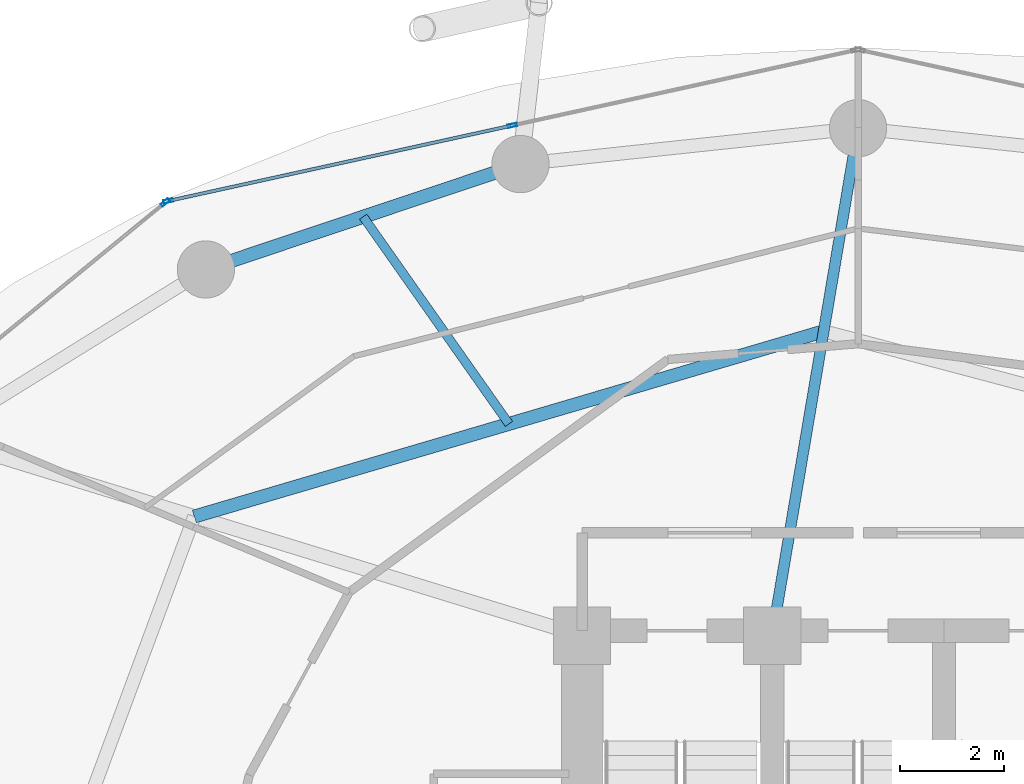
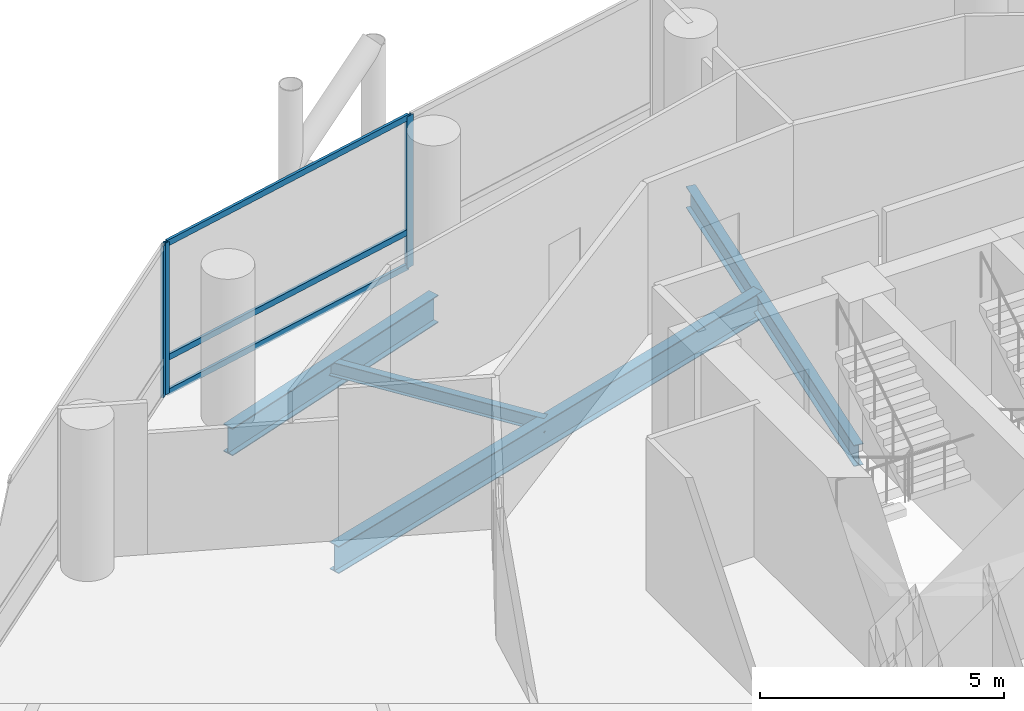
# One storey, part 15 of 26: 6 members, 4 beams, 2 elements without a shape of their own.
"""IFC4 building model written with IfcOpenShell, lengths in metres."""

from ifc_helpers import new_model, si_unit, direction, frame, origin, origin_2d, place, context, subcontext, project, spatial, hollow_rectangle, i_section, extrude, material, layer, layer_set, material_profile, profile_set, type_object, element, aggregate, save


model = new_model("IFC4")

# Units and contexts
model_context = context("Model", 3, precision=1e-05, world=origin(), true_north=direction((0.0, 1.0)))
body_context = subcontext(model_context, "Body", "Model", "MODEL_VIEW")
ifc_project = project(units=[si_unit("LENGTHUNIT", "METRE"), si_unit("AREAUNIT", "SQUARE_METRE"), si_unit("VOLUMEUNIT", "CUBIC_METRE"), si_unit("PLANEANGLEUNIT", "RADIAN"), si_unit("MASSUNIT", "GRAM", prefix="KILO")], contexts=[model_context])

# Site, building, storey
site_placement = place(None, origin())
site = spatial("IfcSite", under=ifc_project, at=site_placement, CompositionType="ELEMENT")
building_placement = place(site_placement, origin())
building = spatial("IfcBuilding", under=site, at=building_placement, Name="Nuhasar Tower", CompositionType="ELEMENT")
storey_placement = place(building_placement, frame((0.0, 0.0, 53.39990234375)))
storey = spatial("IfcBuildingStorey", under=building, at=storey_placement, Name="L12", CompositionType="ELEMENT", Elevation=53.39990234375)

# Beams
ifc_material_1 = material(Name="Steel S355", Category="steel")
ifc_material_profile_1 = material_profile(ifc_material_1, i_section(OverallWidth=0.25390625, OverallDepth=0.68408203125, WebThickness=0.012451171875, FlangeThickness=0.018798828125, at=origin_2d()), Name="W27X94")
ifc_profile_set_1 = profile_set([ifc_material_profile_1], Name="Steel S355")
beam_type_1 = type_object("IfcBeamType", Name="BM-INRING-W27X94", PredefinedType="BEAM", material=ifc_profile_set_1)
beam_1_placement = place(storey_placement, frame((38.340087890625, 43.14990234375, -0.601806640625), z_axis=(-0.959290190666, -0.28242225495, 0.0), x_axis=(0.28242225495, -0.959290190666, 0.0)))
element("IfcBeam", 1, at=beam_1_placement, inside=storey, type_object=beam_type_1, Name="L12 Inner Header Beam 06", PredefinedType="BEAM", context=body_context, shape_type="SweptSolid", body=[
    extrude(i_section(OverallWidth=0.25390625, OverallDepth=0.68408203125, WebThickness=0.012451171875, FlangeThickness=0.018798828125, at=origin_2d()), origin(), (0.0, 0.0, 1.0), 12.60107421875),
])
ifc_material_profile_2 = material_profile(ifc_material_1, i_section(OverallWidth=0.1708984375, OverallDepth=0.35205078125, WebThickness=0.0068359375, FlangeThickness=0.009765625, at=origin_2d()), Name="W14X30")
ifc_profile_set_2 = profile_set([ifc_material_profile_2], Name="Steel S355")
beam_type_2 = type_object("IfcBeamType", Name="BM-JST-W14X30", PredefinedType="JOIST", material=ifc_profile_set_2)
beam_2_placement = place(storey_placement, frame((32.2958984375, 41.3701171875, -0.435791015625), z_axis=(-0.575461088141, 0.817829160666, 0.0), x_axis=(-0.817829160666, -0.575461088141, 0.0)))
element("IfcBeam", 2, at=beam_2_placement, inside=storey, type_object=beam_type_2, Name="L12 Secondary Floor Joist 06", PredefinedType="JOIST", context=body_context, shape_type="SweptSolid", body=[
    extrude(i_section(OverallWidth=0.1708984375, OverallDepth=0.35205078125, WebThickness=0.0068359375, FlangeThickness=0.009765625, at=origin_2d()), origin(), (0.0, 0.0, 1.0), 4.865234375),
])
ifc_material_profile_3 = material_profile(ifc_material_1, i_section(OverallWidth=0.208984375, OverallDepth=0.532958984375, WebThickness=0.01025390625, FlangeThickness=0.015625, at=origin_2d()), Name="W21X62")
ifc_profile_set_3 = profile_set([ifc_material_profile_3], Name="Steel S355")
beam_type_3 = type_object("IfcBeamType", Name="BM-RAD-W21X62", PredefinedType="BEAM", material=ifc_profile_set_3)
beam_3_placement = place(storey_placement, frame((37.35009765625, 37.300048828125, -0.52685546875), z_axis=(0.166848703013, 0.98598251014, 0.0), x_axis=(-0.98598251014, 0.166848703013, 0.0)))
element("IfcBeam", 3, at=beam_3_placement, inside=storey, type_object=beam_type_3, Name="L12 Radial Floor Girder 06", PredefinedType="BEAM", context=body_context, shape_type="SweptSolid", body=[
    extrude(i_section(OverallWidth=0.208984375, OverallDepth=0.532958984375, WebThickness=0.01025390625, FlangeThickness=0.015625, at=origin_2d()), origin(), (0.0, 0.0, 1.0), 9.888671875),
])
ifc_material_profile_4 = material_profile(ifc_material_1, i_section(OverallWidth=0.256103515625, OverallDepth=0.693115234375, WebThickness=0.014404296875, FlangeThickness=0.023681640625, at=origin_2d()), Name="W27X114")
ifc_profile_set_4 = profile_set([ifc_material_profile_4], Name="Steel S355")
beam_type_4 = type_object("IfcBeamType", Name="BM-RING-W27X114", PredefinedType="SPANDREL", material=ifc_profile_set_4)
beam_4_placement = place(storey_placement, frame((32.51708984375, 46.360107421875, -0.60595703125), z_axis=(-0.948249435708, -0.317526388949, 0.0), x_axis=(0.317526388949, -0.948249435708, 0.0)))
element("IfcBeam", 4, at=beam_4_placement, inside=storey, type_object=beam_type_4, Name="L12 Perimeter Ring Spandrel 08", PredefinedType="SPANDREL", context=body_context, shape_type="SweptSolid", body=[
    extrude(i_section(OverallWidth=0.256103515625, OverallDepth=0.693115234375, WebThickness=0.014404296875, FlangeThickness=0.023681640625, at=origin_2d()), origin(), (0.0, 0.0, 1.0), 6.371826171875),
])

# Curtain wall, members
ifc_material_2 = material(Name="Aluminium 6063-T6", Category="aluminium")
ifc_layer = layer(ifc_material_2, 0.199951171875)
ifc_layer_set = layer_set([ifc_layer], Name="Aluminium 6063-T6")
curtain_wall_type = type_object("IfcCurtainWallType", Name="CW-Z1-OFF", PredefinedType="NOTDEFINED", material=ifc_layer_set)
curtain_wall_1_placement = place(storey_placement, origin())
curtain_wall_1 = element("IfcCurtainWall", 5, at=curtain_wall_1_placement, inside=storey, type_object=curtain_wall_type, Name="L12 Unitised Curtain Wall 04", PredefinedType="NOTDEFINED")
ifc_material_profile_5 = material_profile(ifc_material_2, hollow_rectangle(XDim=0.06494140625, YDim=0.179931640625, WallThickness=0.0048828125, at=origin_2d()), Name="CWM-2")
ifc_profile_set_5 = profile_set([ifc_material_profile_5], Name="Aluminium 6063-T6")
member_type_1 = type_object("IfcMemberType", Name="CW-MUL-S2", PredefinedType="MULLION", material=ifc_profile_set_5)
member_1_placement = place(storey_placement, frame((32.360107421875, 47.1025390625, 0.0), z_axis=(0.0, 0.0, 1.0), x_axis=(0.214398737637, -0.976746221544, 0.0)))
member_1 = element("IfcMember", 6, at=member_1_placement, type_object=member_type_1, Name="CW-Z1 mullion 2", PredefinedType="MULLION", context=body_context, shape_type="SweptSolid", body=[
    extrude(hollow_rectangle(XDim=0.06494140625, YDim=0.179931640625, WallThickness=0.0048828125, at=origin_2d()), origin(), (0.0, 0.0, 1.0), 3.800048828125),
])
member_2_placement = place(storey_placement, frame((25.751708984375, 45.65185546875, 0.0), z_axis=(0.0, 0.0, 1.0), x_axis=(0.214398737637, -0.976746221544, 0.0)))
member_2 = element("IfcMember", 7, at=member_2_placement, type_object=member_type_1, Name="CW-Z1 mullion 3", PredefinedType="MULLION", context=body_context, shape_type="SweptSolid", body=[
    extrude(hollow_rectangle(XDim=0.06494140625, YDim=0.179931640625, WallThickness=0.0048828125, at=origin_2d()), origin(), (0.0, 0.0, 1.0), 3.800048828125),
])

# Curtain wall, member
curtain_wall_2_placement = place(storey_placement, origin())
curtain_wall_2 = element("IfcCurtainWall", 8, at=curtain_wall_2_placement, inside=storey, type_object=curtain_wall_type, Name="L12 Unitised Curtain Wall 05", PredefinedType="NOTDEFINED")
member_3_placement = place(storey_placement, frame((25.69482421875, 45.62451171875, 0.0), z_axis=(0.0, 0.0, 1.0), x_axis=(0.633744593376, -0.773542364946, 0.0)))
member_3 = element("IfcMember", 9, at=member_3_placement, type_object=member_type_1, Name="CW-Z1 mullion 1", PredefinedType="MULLION", context=body_context, shape_type="SweptSolid", body=[
    extrude(hollow_rectangle(XDim=0.06494140625, YDim=0.179931640625, WallThickness=0.0048828125, at=origin_2d()), origin(), (0.0, 0.0, 1.0), 3.800048828125),
])
aggregate(curtain_wall_2, [member_3])

# Member
ifc_material_profile_6 = material_profile(ifc_material_2, hollow_rectangle(XDim=0.06494140625, YDim=0.14990234375, WallThickness=0.00439453125, at=origin_2d()), Name="CWT-2")
ifc_profile_set_6 = profile_set([ifc_material_profile_6], Name="Aluminium 6063-T6")
member_type_2 = type_object("IfcMemberType", Name="CW-TRN-S2", PredefinedType="USERDEFINED", material=ifc_profile_set_6)
member_4_placement = place(storey_placement, frame((32.328369140625, 47.095458984375, 0.03271484375), z_axis=(-0.976749553792, -0.214383556196, 0.0), x_axis=(0.214383556196, -0.976749553792, 0.0)))
member_4 = element("IfcMember", 10, at=member_4_placement, type_object=member_type_2, Name="CW-Z1 transom 2.1", ObjectType="TRANSOM", PredefinedType="USERDEFINED", context=body_context, shape_type="SweptSolid", body=[
    extrude(hollow_rectangle(XDim=0.06494140625, YDim=0.14990234375, WallThickness=0.00439453125, at=origin_2d()), origin(), (0.0, 0.0, 1.0), 6.70068359375),
])

member_5_placement = place(storey_placement, frame((32.328369140625, 47.095458984375, 0.900146484375), z_axis=(-0.976749553792, -0.214383556196, 0.0), x_axis=(0.214383556196, -0.976749553792, 0.0)))
member_5 = element("IfcMember", 11, at=member_5_placement, type_object=member_type_2, Name="CW-Z1 transom 2.2", ObjectType="TRANSOM", PredefinedType="USERDEFINED", context=body_context, shape_type="SweptSolid", body=[
    extrude(hollow_rectangle(XDim=0.06494140625, YDim=0.14990234375, WallThickness=0.00439453125, at=origin_2d()), origin(), (0.0, 0.0, 1.0), 6.70068359375),
])

member_6_placement = place(storey_placement, frame((32.328369140625, 47.095458984375, 3.767578125), z_axis=(-0.976749553792, -0.214383556196, 0.0), x_axis=(0.214383556196, -0.976749553792, 0.0)))
member_6 = element("IfcMember", 12, at=member_6_placement, type_object=member_type_2, Name="CW-Z1 transom 2.3", ObjectType="TRANSOM", PredefinedType="USERDEFINED", context=body_context, shape_type="SweptSolid", body=[
    extrude(hollow_rectangle(XDim=0.06494140625, YDim=0.14990234375, WallThickness=0.00439453125, at=origin_2d()), origin(), (0.0, 0.0, 1.0), 6.70068359375),
])

aggregate(curtain_wall_1, [member_1, member_2, member_4, member_5, member_6])

save(model, "model.ifc")
